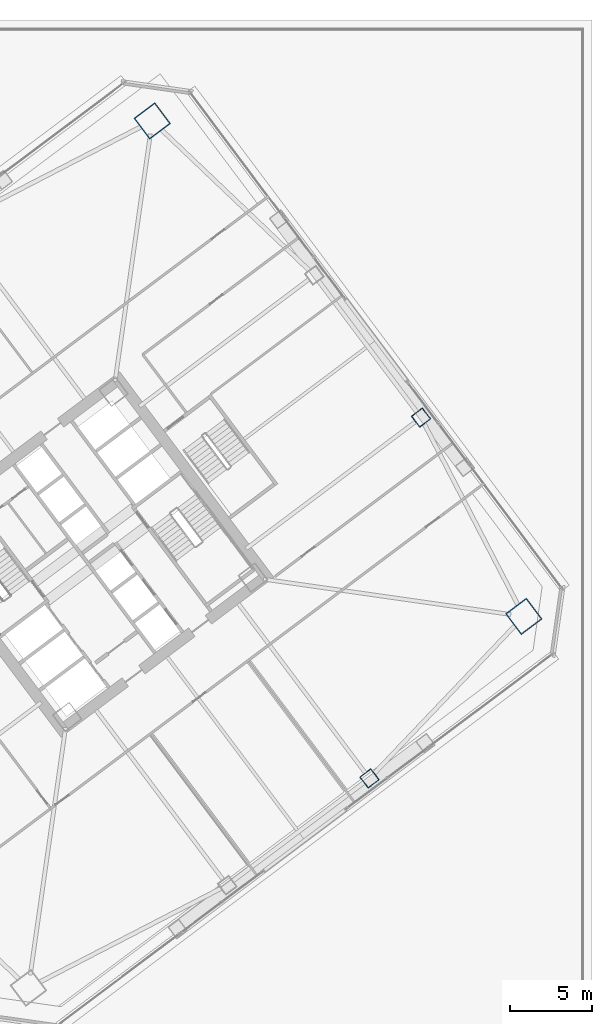
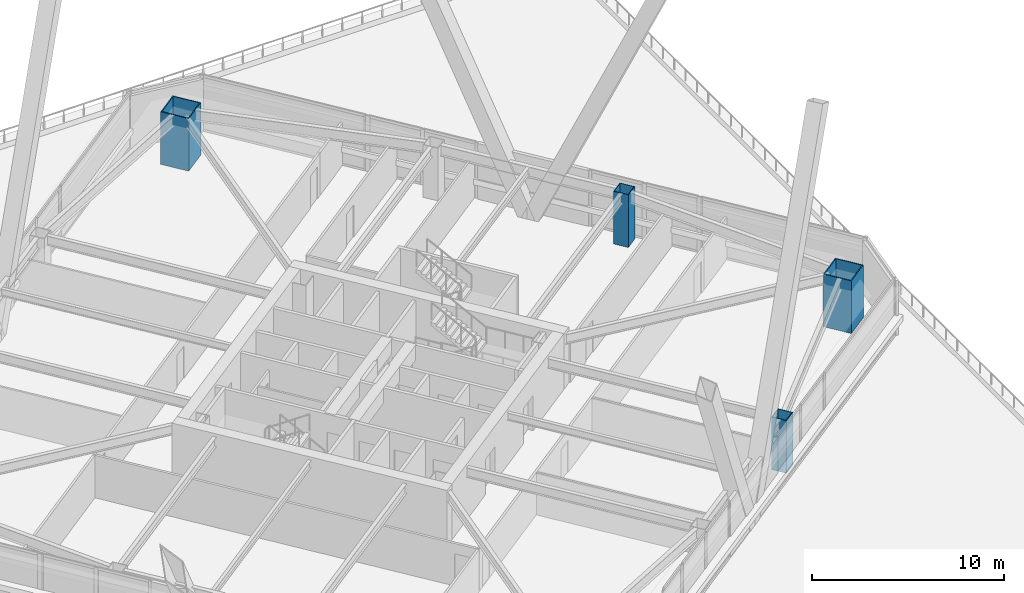
# One storey, part 4 of 83: 4 columns.
"""IFC4 building model written with IfcOpenShell, lengths in metres."""

from ifc_helpers import new_model, si_unit, direction, frame, origin, origin_2d, place, context, subcontext, project, spatial, hollow_rectangle, extrude, material, material_profile, profile_set, type_object, element, save


model = new_model("IFC4")

# Units and contexts
model_context = context("Model", 3, precision=1e-05, world=origin(), true_north=direction((0.0, 1.0)))
body_context = subcontext(model_context, "Body", "Model", "MODEL_VIEW")
ifc_project = project(units=[si_unit("LENGTHUNIT", "METRE"), si_unit("AREAUNIT", "SQUARE_METRE"), si_unit("VOLUMEUNIT", "CUBIC_METRE"), si_unit("PLANEANGLEUNIT", "RADIAN"), si_unit("MASSUNIT", "GRAM", prefix="KILO")], contexts=[model_context])

# Site, building, storey
site_placement = place(None, origin())
site = spatial("IfcSite", under=ifc_project, at=site_placement, CompositionType="ELEMENT")
building_placement = place(site_placement, origin())
building = spatial("IfcBuilding", under=site, at=building_placement, Name="Tashvorn Skyway Center", CompositionType="ELEMENT")
storey_placement = place(building_placement, frame((0.0, 0.0, 24.60009765625)))
storey = spatial("IfcBuildingStorey", under=building, at=storey_placement, Name="L05", CompositionType="ELEMENT", Elevation=24.60009765625)

# Columns
ifc_material = material(Name="Steel ASTM A572 Grade 50", Category="steel")
ifc_material_profile_1 = material_profile(ifc_material, hollow_rectangle(XDim=1.60009765625, YDim=1.60009765625, WallThickness=0.06005859375, at=origin_2d()), Name="BOX1600x1600x60")
ifc_profile_set_1 = profile_set([ifc_material_profile_1], Name="Steel ASTM A572 Grade 50")
column_type_1 = type_object("IfcColumnType", Name="COL-BOX1600x1600x60", PredefinedType="COLUMN", material=ifc_profile_set_1)
for number, where, z_axis, x_axis, name in (
    (1, (140.320068359375, 28.239990234375, 0.0), (0.0, 0.0, 1.0), (0.799999996291, 0.600000004945, 0.0), "Tower 2 L05 Mega-Column MC-SE"),
    (2, (117.760009765625, 58.320068359375, 0.0), (0.0, 0.0, 1.0), (0.799999996291, 0.600000004945, 0.0), "Tower 2 L05 Mega-Column MC-NE"),
):
    element("IfcColumn", number, at=place(storey_placement, frame(where, z_axis=z_axis, x_axis=x_axis)), inside=storey, type_object=column_type_1, Name=name, PredefinedType="COLUMN", context=body_context, shape_type="SweptSolid", body=[
        extrude(hollow_rectangle(XDim=1.60009765625, YDim=1.60009765625, WallThickness=0.06005859375, at=origin_2d()), origin(), (0.0, 0.0, 1.0), 3.349853515625),
    ])
ifc_material_profile_2 = material_profile(ifc_material, hollow_rectangle(XDim=0.85009765625, YDim=0.85009765625, WallThickness=0.034912109375, at=origin_2d()), Name="BOX850x850x35")
ifc_profile_set_2 = profile_set([ifc_material_profile_2], Name="Steel ASTM A572 Grade 50")
column_type_2 = type_object("IfcColumnType", Name="COL-BOX850x850x35", PredefinedType="COLUMN", material=ifc_profile_set_2)
for number, where, z_axis, x_axis, name in (
    (3, (130.949951171875, 18.39990234375, 0.0), (0.0, 0.0, 1.0), (0.799999996291, 0.600000004945, 0.0), "Tower 2 L05 Perimeter Column FC-S2"),
    (4, (134.080078125, 40.31005859375, 0.0), (0.0, 0.0, 1.0), (0.799999996291, 0.600000004945, 0.0), "Tower 2 L05 Perimeter Column FC-E1"),
):
    element("IfcColumn", number, at=place(storey_placement, frame(where, z_axis=z_axis, x_axis=x_axis)), inside=storey, type_object=column_type_2, Name=name, PredefinedType="COLUMN", context=body_context, shape_type="SweptSolid", body=[
        extrude(hollow_rectangle(XDim=0.85009765625, YDim=0.85009765625, WallThickness=0.034912109375, at=origin_2d()), origin(), (0.0, 0.0, 1.0), 3.349853515625),
    ])

save(model, "model.ifc")
